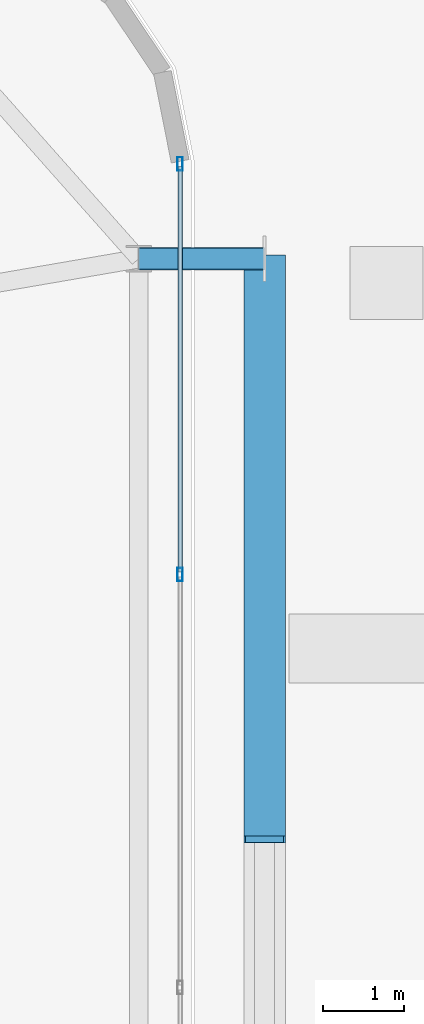
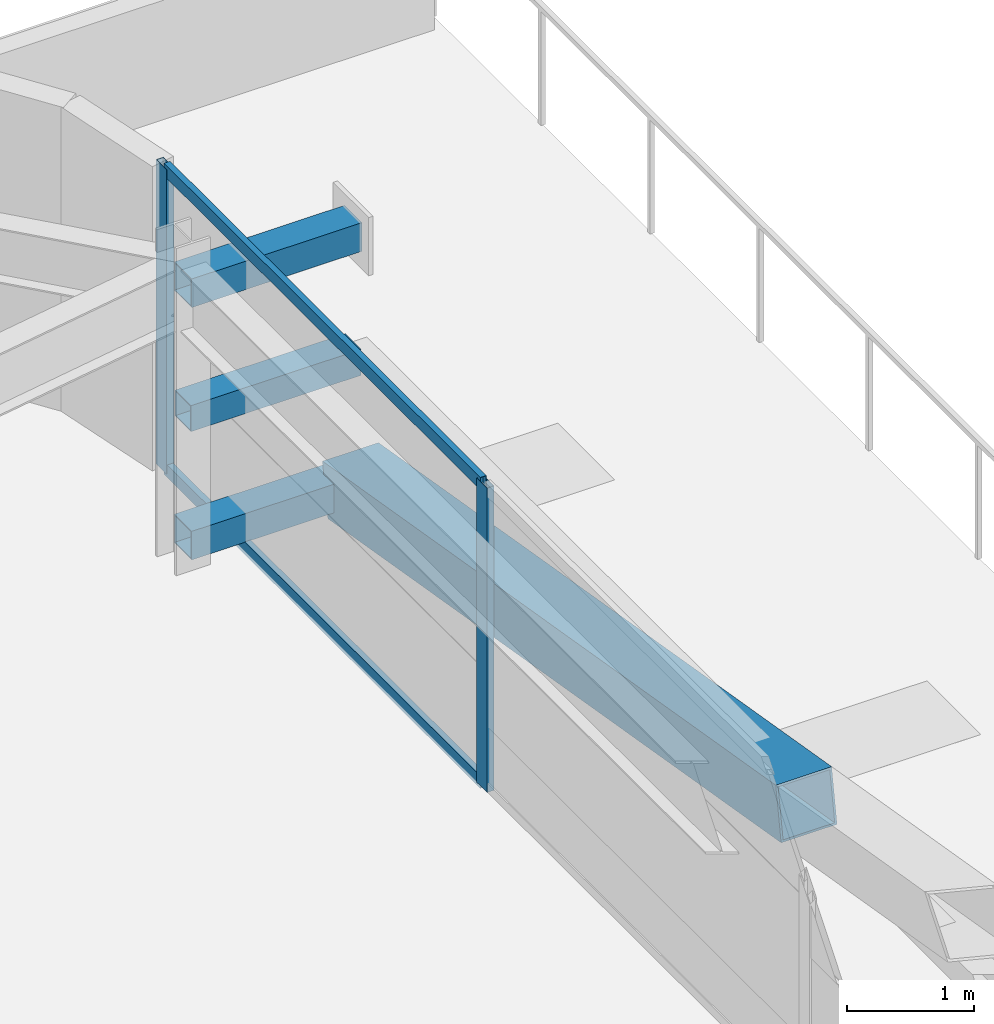
# One storey, part 38 of 56: 8 members, 1 element without a shape of its own.
"""IFC4 building model written with IfcOpenShell, lengths in metres."""

import ifcopenshell
import ifcopenshell.guid

model = None  # the IFC model being written
_history = None  # IfcOwnerHistory: only IFC2X3 demands one
_inside = {}  # id of a spatial element -> (the spatial element, [elements in it])
_under = {}  # id of a project, library or spatial element -> (it, [spatial elements below it])
_declared = {}  # id of a project -> (the project, [libraries it declares])
_typed = {}  # id of a type object -> (the type object, [elements of that type])
_made_of = {}  # id of a material, layer set ... -> (it, [elements and type objects made of it])


def new_model(schema):
    """Start an empty IFC model of exactly this schema.

    Asked for "IFC4X3", IfcOpenShell would pick the latest addendum, in which some entities
    have other attributes; the version numbers below select the first issue.
    IFC2X3 requires an IfcOwnerHistory on every rooted entity: one is made here for all.
    """
    global model, _history
    if schema == "IFC4X3":
        model = ifcopenshell.file(schema_version=(4, 3, 0, 0))
    else:
        model = ifcopenshell.file(schema=schema)
    _inside.clear()
    _under.clear()
    _declared.clear()
    _typed.clear()
    _made_of.clear()
    _history = None
    if model.schema == "IFC2X3":
        org = make("IfcOrganization", Name="unknown")
        user = make(
            "IfcPersonAndOrganization",
            ThePerson=make("IfcPerson", FamilyName="unknown"),
            TheOrganization=org,
        )
        app = make(
            "IfcApplication",
            ApplicationDeveloper=org,
            Version="unknown",
            ApplicationFullName="unknown",
            ApplicationIdentifier="unknown",
        )
        _history = make(
            "IfcOwnerHistory",
            OwningUser=user,
            OwningApplication=app,
            ChangeAction="ADDED",
            CreationDate=0,
        )
    return model


def make(cls, **values):
    """One entity of the class cls with the attributes given. An attribute that is None is left unset."""
    return model.create_entity(
        cls, **{name: value for name, value in values.items() if value is not None}
    )


def rooted(cls, **values):
    """An entity with a GlobalId (a new one), such as an element, a storey or a relation."""
    return make(cls, GlobalId=ifcopenshell.guid.new(), OwnerHistory=_history, **values)


def si_unit(unit_type, name, prefix=None):
    """IfcSIUnit, for example si_unit("LENGTHUNIT", "METRE", prefix="MILLI")."""
    return make("IfcSIUnit", UnitType=unit_type, Prefix=prefix, Name=name)


def assignment(units):
    """IfcUnitAssignment: the units of a project."""
    return None if units is None else make("IfcUnitAssignment", Units=units)


def point(xyz):
    """IfcCartesianPoint."""
    return None if xyz is None else make("IfcCartesianPoint", Coordinates=xyz)


def direction(xyz):
    """IfcDirection."""
    return None if xyz is None else make("IfcDirection", DirectionRatios=xyz)


def frame(location, z_axis=None, x_axis=None):
    """IfcAxis2Placement3D, a coordinate frame: its origin and axes. An axis left out is left unset."""
    return make(
        "IfcAxis2Placement3D",
        Location=point(location),
        Axis=direction(z_axis),
        RefDirection=direction(x_axis),
    )


def frame_2d(location, x_axis=None):
    """IfcAxis2Placement2D, a coordinate frame in the plane: its origin and x axis."""
    return make(
        "IfcAxis2Placement2D", Location=point(location), RefDirection=direction(x_axis)
    )


def origin():
    """The frame at (0, 0, 0) with its axes left unset."""
    return frame((0.0, 0.0, 0.0))


def origin_2d():
    """The frame at (0, 0) in the plane with its x axis left unset."""
    return frame_2d((0.0, 0.0))


def place(relative_to, where):
    """IfcLocalPlacement: puts the frame where relative to a parent placement (None: the world)."""
    return make(
        "IfcLocalPlacement", PlacementRelTo=relative_to, RelativePlacement=where
    )


def context(
    kind, dimensions, precision=None, world=None, true_north=None, identifier=None
):
    """IfcGeometricRepresentationContext, for example the 3D "Model" context."""
    return make(
        "IfcGeometricRepresentationContext",
        ContextIdentifier=identifier,
        ContextType=kind,
        CoordinateSpaceDimension=dimensions,
        Precision=precision,
        WorldCoordinateSystem=world,
        TrueNorth=true_north,
    )


def subcontext(parent, identifier, kind, view, scale=None):
    """IfcGeometricRepresentationSubContext, for example "Body" below "Model"."""
    return make(
        "IfcGeometricRepresentationSubContext",
        ContextIdentifier=identifier,
        ContextType=kind,
        ParentContext=parent,
        TargetScale=scale,
        TargetView=view,
    )


def project(units=None, contexts=None):
    """IfcProject with its units and contexts."""
    return rooted(
        "IfcProject",
        Name="project",
        RepresentationContexts=contexts,
        UnitsInContext=assignment(units),
    )


def spatial(cls, under=None, at=None, **own):
    """A site, building, storey or space (cls), placed at a placement, below another one or the project."""
    s = rooted(cls, ObjectPlacement=at, **own)
    if under is not None:
        _under.setdefault(under.id(), (under, []))[1].append(s)
    return s


def profile(cls, at=None, kind="AREA", **sizes):
    """A parametric profile (cls). Its sizes go by their IFC names, for example OverallWidth=200.0."""
    return make(cls, ProfileType=kind, Position=at, **sizes)


def hollow_rectangle(**sizes):
    """IfcRectangleHollowProfileDef."""
    return profile("IfcRectangleHollowProfileDef", **sizes)


def extrude(swept, where, along, depth):
    """IfcExtrudedAreaSolid: the profile swept, set in the frame where, extruded along a direction by depth."""
    return make(
        "IfcExtrudedAreaSolid",
        SweptArea=swept,
        Position=where,
        ExtrudedDirection=direction(along),
        Depth=depth,
    )


def shape(context_of_items, identifier, shape_type, items):
    """IfcShapeRepresentation: the items that make up one representation, for example the "Body"."""
    return make(
        "IfcShapeRepresentation",
        ContextOfItems=context_of_items,
        RepresentationIdentifier=identifier,
        RepresentationType=shape_type,
        Items=items,
    )


def source(mapping_origin, context_of_items, identifier, shape_type, items):
    """IfcRepresentationMap: a shape defined once, which mapped items show again and again."""
    return make(
        "IfcRepresentationMap",
        MappingOrigin=mapping_origin,
        MappedRepresentation=shape(context_of_items, identifier, shape_type, items),
    )


def transform(
    local_origin,
    x_axis=None,
    y_axis=None,
    z_axis=None,
    scale=None,
    scale2=None,
    scale3=None,
    uniform=True,
):
    """IfcCartesianTransformationOperator3D, or its non-uniform kind. x_axis, y_axis, z_axis: its Axis1, 2, 3."""
    if uniform:
        return make(
            "IfcCartesianTransformationOperator3D",
            Axis1=direction(x_axis),
            Axis2=direction(y_axis),
            LocalOrigin=point(local_origin),
            Scale=scale,
            Axis3=direction(z_axis),
        )
    return make(
        "IfcCartesianTransformationOperator3DnonUniform",
        Axis1=direction(x_axis),
        Axis2=direction(y_axis),
        LocalOrigin=point(local_origin),
        Scale=scale,
        Axis3=direction(z_axis),
        Scale2=scale2,
        Scale3=scale3,
    )


def mapped(mapping_source, mapping_target):
    """IfcMappedItem: shows the shape of a source again, moved by a transform."""
    return make(
        "IfcMappedItem", MappingSource=mapping_source, MappingTarget=mapping_target
    )


def material(Name=None, Category=None):
    """IfcMaterial."""
    return make("IfcMaterial", Name=Name, Category=Category)


def layer(
    of_material, thickness, ventilated=None, Name=None, Category=None, Priority=None
):
    """IfcMaterialLayer: one layer of a wall or slab, of a material (None: an air gap)."""
    return make(
        "IfcMaterialLayer",
        Material=of_material,
        LayerThickness=thickness,
        IsVentilated=ventilated,
        Name=Name,
        Category=Category,
        Priority=Priority,
    )


def layer_set(layers, Name=None):
    """IfcMaterialLayerSet."""
    return make("IfcMaterialLayerSet", MaterialLayers=layers, LayerSetName=Name)


def material_profile(
    of_material, cross_section, Name=None, Category=None, Priority=None
):
    """IfcMaterialProfile: a cross section and its material."""
    return make(
        "IfcMaterialProfile",
        Name=Name,
        Material=of_material,
        Profile=cross_section,
        Priority=Priority,
        Category=Category,
    )


def profile_set(profiles, Name=None, composite=None):
    """IfcMaterialProfileSet."""
    return make(
        "IfcMaterialProfileSet",
        Name=Name,
        MaterialProfiles=profiles,
        CompositeProfile=composite,
    )


def made_of(thing, what):
    """Note that an element or type object is made of a material, layer set ...; save() writes the relation."""
    if what is not None:
        _made_of.setdefault(what.id(), (what, []))[1].append(thing)
    return thing


def type_object(cls, material=None, **own):
    """A type object (cls), such as IfcWallType, which elements share."""
    return made_of(rooted(cls, **own), material)


def element(
    cls,
    number,
    at=None,
    inside=None,
    cuts=None,
    type_object=None,
    material=None,
    context=None,
    identifier="Body",
    shape_type=None,
    held_by="IfcProductDefinitionShape",
    body=None,
    shapes=None,
    **own,
):
    """One element of the class cls, such as IfcWall. Its Tag is "e" and its number.

    at: its placement. inside: the storey or other place that contains it. cuts: it is an
    opening in that element (IfcRelVoidsElement). A single representation is given by context,
    identifier, shape_type and body (its items); several are given by shapes. held_by: the class
    of the entity that holds the representations. save() writes the other relations.
    """
    e = rooted(cls, Tag="e%d" % number, ObjectPlacement=at, **own)
    if body is not None:
        shapes = [shape(context, identifier, shape_type, body)]
    if shapes is not None:
        e.Representation = make(held_by, Representations=shapes)
    if inside is not None:
        _inside.setdefault(inside.id(), (inside, []))[1].append(e)
    if cuts is not None:
        rooted(
            "IfcRelVoidsElement", RelatingBuildingElement=cuts, RelatedOpeningElement=e
        )
    if type_object is not None:
        _typed.setdefault(type_object.id(), (type_object, []))[1].append(e)
    return made_of(e, material)


def aggregate(whole, parts):
    """IfcRelAggregates: a whole, such as a stair, and the parts it consists of."""
    return rooted("IfcRelAggregates", RelatingObject=whole, RelatedObjects=parts)


def save(model, path):
    """Write the relations noted so far, then the file.

    IfcRelAggregates (storeys below a building ...), IfcRelContainedInSpatialStructure (elements
    in a storey), IfcRelDefinesByType, IfcRelAssociatesMaterial and IfcRelDeclares: one each for
    every whole, place, type object, material and project.
    """
    for whole, parts in _under.values():
        aggregate(whole, parts)
    for where, things in _inside.values():
        rooted(
            "IfcRelContainedInSpatialStructure",
            RelatedElements=things,
            RelatingStructure=where,
        )
    for kind, things in _typed.values():
        rooted("IfcRelDefinesByType", RelatedObjects=things, RelatingType=kind)
    for what, things in _made_of.values():
        rooted("IfcRelAssociatesMaterial", RelatedObjects=things, RelatingMaterial=what)
    for by, libraries in _declared.values():
        rooted("IfcRelDeclares", RelatingContext=by, RelatedDefinitions=libraries)
    model.write(path)


model = new_model("IFC4")

# Units and contexts
model_context = context("Model", 3, precision=1e-05, world=origin(), true_north=direction((0.0, 1.0)))
body_context = subcontext(model_context, "Body", "Model", "MODEL_VIEW")
ifc_project = project(units=[si_unit("LENGTHUNIT", "METRE"), si_unit("AREAUNIT", "SQUARE_METRE"), si_unit("VOLUMEUNIT", "CUBIC_METRE"), si_unit("PLANEANGLEUNIT", "RADIAN"), si_unit("MASSUNIT", "GRAM", prefix="KILO")], contexts=[model_context])

# Site, building, storey
site_placement = place(None, origin())
site = spatial("IfcSite", under=ifc_project, at=site_placement, CompositionType="ELEMENT")
building_placement = place(site_placement, origin())
building = spatial("IfcBuilding", under=site, at=building_placement, Name="Taldren Reach Tower", CompositionType="ELEMENT")
storey_placement = place(building_placement, frame((0.0, 0.0, 16.800048828125)))
storey = spatial("IfcBuildingStorey", under=building, at=storey_placement, Name="L04", CompositionType="ELEMENT", Elevation=16.800048828125)

# Members
ifc_material_1 = material(Name="Steel Gr 450 (C450L0)", Category="steel")
ifc_material_profile_1 = material_profile(ifc_material_1, hollow_rectangle(XDim=0.27490234375, YDim=0.27490234375, WallThickness=0.00927734375, at=origin_2d()), Name="275x275x9.3SHS")
ifc_profile_set_1 = profile_set([ifc_material_profile_1], Name="Steel Gr 450 (C450L0)")
member_type_1 = type_object("IfcMemberType", Name="MB-TIE273", PredefinedType="STRUT", material=ifc_profile_set_1)
shared_shape_1 = source(origin(), body_context, "Body", "SweptSolid", [
    extrude(hollow_rectangle(XDim=0.27490234375, YDim=0.27490234375, WallThickness=0.00927734375, at=origin_2d()), origin(), (0.0, 0.0, 1.0), 1.5498046875),
])
for number, where, z_axis, x_axis, name in (
    (1, (64.35009765625, 34.300048828125, 2.64990234375), (1.0, 0.0, 0.0), (0.0, 1.0, 0.0), "Exoskeleton diaphragm tie strut B1-E3 L04"),
    (2, (64.35009765625, 34.300048828125, 0.219970703125), (1.0, 0.0, 0.0), (0.0, 1.0, 0.0), "Exoskeleton base diaphragm tie strut B1-E3 L04"),
):
    element("IfcMember", number, at=place(storey_placement, frame(where, z_axis=z_axis, x_axis=x_axis)), inside=storey, type_object=member_type_1, Name=name, PredefinedType="STRUT", context=body_context, shape_type="MappedRepresentation", body=[
        mapped(shared_shape_1, transform((0.0, 0.0, 0.0), scale=1.0)),
    ])
ifc_material_2 = material(Name="Steel Gr 350 (C350L0)", Category="steel")
ifc_material_profile_2 = material_profile(ifc_material_2, hollow_rectangle(XDim=0.25, YDim=0.25, WallThickness=0.010009765625, at=origin_2d()), Name="250x250x10.0SHS")
ifc_profile_set_2 = profile_set([ifc_material_profile_2], Name="Steel Gr 350 (C350L0)")
member_type_2 = type_object("IfcMemberType", Name="MB-POST250", PredefinedType="POST", material=ifc_profile_set_2)
shared_shape_2 = source(origin(), body_context, "Body", "SweptSolid", [
    extrude(hollow_rectangle(XDim=0.25, YDim=0.25, WallThickness=0.010009765625, at=origin_2d()), origin(), (0.0, 0.0, 1.0), 1.5498046875),
])
member_1_placement = place(storey_placement, frame((64.35009765625, 34.300048828125, 1.43505859375), z_axis=(1.0, 0.0, 0.0), x_axis=(0.0, 1.0, 0.0)))
element("IfcMember", 3, at=member_1_placement, inside=storey, type_object=member_type_2, Name="Exoskeleton mid-tier diaphragm tie B1-E3 L04", PredefinedType="POST", context=body_context, shape_type="MappedRepresentation", body=[
    mapped(shared_shape_2, transform((0.0, 0.0, 0.0), scale=1.0)),
])
ifc_material_profile_3 = material_profile(ifc_material_1, hollow_rectangle(XDim=0.510009765625, YDim=0.510009765625, WallThickness=0.02001953125, at=origin_2d()), Name="510x510x20.0SHS")
ifc_profile_set_3 = profile_set([ifc_material_profile_3], Name="Steel Gr 450 (C450L0)")
member_type_3 = type_object("IfcMemberType", Name="MB-EXO508", PredefinedType="BRACE", material=ifc_profile_set_3)
shared_shape_3 = source(origin(), body_context, "Body", "SweptSolid", [
    extrude(hollow_rectangle(XDim=0.510009765625, YDim=0.510009765625, WallThickness=0.02001953125, at=origin_2d()), origin(), (0.0, 0.0, 1.0), 7.252685546875),
])
member_2_placement = place(storey_placement, frame((65.89990234375, 34.300048828125, 0.219970703125), z_axis=(0.0, -0.985865800628, 0.167536930711), x_axis=(1.0, 0.0, 0.0)))
element("IfcMember", 4, at=member_2_placement, inside=storey, type_object=member_type_3, Name="Exoskeleton Diagrid Brace B1-E2 L04", PredefinedType="BRACE", context=body_context, shape_type="MappedRepresentation", body=[
    mapped(shared_shape_3, transform((0.0, 0.0, 0.0), scale=1.0)),
])

# Curtain wall, members
ifc_material_3 = material(Name="Aluminium and Low-E Glass Unitised System", Category="aluminium")
ifc_layer = layer(ifc_material_3, 0.159912109375)
ifc_layer_set = layer_set([ifc_layer], Name="Aluminium and Low-E Glass Unitised System")
curtain_wall_type = type_object("IfcCurtainWallType", Name="CW-SYS-2", PredefinedType="NOTDEFINED", material=ifc_layer_set)
curtain_wall_placement = place(storey_placement, origin())
curtain_wall = element("IfcCurtainWall", 5, at=curtain_wall_placement, inside=storey, type_object=curtain_wall_type, Name="Unitised curtain wall CW-L04-E2", PredefinedType="NOTDEFINED")
ifc_material_4 = material(Name="Anodised Aluminium 6063-T6", Category="aluminium")
ifc_material_profile_4 = material_profile(ifc_material_4, hollow_rectangle(XDim=0.06494140625, YDim=0.1650390625, WallThickness=0.00390625, at=origin_2d()), Name="ALU-165x65x4RHS")
ifc_profile_set_4 = profile_set([ifc_material_profile_4], Name="Anodised Aluminium 6063-T6")
member_type_4 = type_object("IfcMemberType", Name="CW-MUL-165", PredefinedType="MULLION", material=ifc_profile_set_4)
shared_shape_4 = source(origin(), body_context, "Body", "SweptSolid", [
    extrude(hollow_rectangle(XDim=0.06494140625, YDim=0.1650390625, WallThickness=0.00390625, at=origin_2d()), origin(), (0.0, 0.0, 1.0), 2.929931640625),
])
member_3_placement = place(storey_placement, frame((64.860107421875, 30.41259765625, 0.0), z_axis=(0.0, 0.0, 1.0), x_axis=(-1.0, 0.0, 0.0)))
member_3 = element("IfcMember", 6, at=member_3_placement, type_object=member_type_4, Name="CW-2 mullion 4", PredefinedType="MULLION", context=body_context, shape_type="MappedRepresentation", body=[
    mapped(shared_shape_4, transform((0.0, 0.0, 0.0), scale=1.0)),
])
member_4_placement = place(storey_placement, frame((64.860107421875, 35.467529296875, 0.0), z_axis=(0.0, 0.0, 1.0), x_axis=(-1.0, 0.0, 0.0)))
member_4 = element("IfcMember", 7, at=member_4_placement, type_object=member_type_4, Name="CW-2 mullion 5", PredefinedType="MULLION", context=body_context, shape_type="MappedRepresentation", body=[
    mapped(shared_shape_4, transform((0.0, 0.0, 0.0), scale=1.0)),
])
ifc_material_profile_5 = material_profile(ifc_material_4, hollow_rectangle(XDim=0.054931640625, YDim=0.1201171875, WallThickness=0.0029296875, at=origin_2d()), Name="ALU-120x55x3RHS")
ifc_profile_set_5 = profile_set([ifc_material_profile_5], Name="Anodised Aluminium 6063-T6")
member_type_5 = type_object("IfcMemberType", Name="CW-TRN-135", PredefinedType="USERDEFINED", material=ifc_profile_set_5)
shared_shape_5 = source(origin(), body_context, "Body", "SweptSolid", [
    extrude(hollow_rectangle(XDim=0.054931640625, YDim=0.1201171875, WallThickness=0.0029296875, at=origin_2d()), origin(), (0.0, 0.0, 1.0), 4.989990234375),
])
member_5_placement = place(storey_placement, frame((64.860107421875, 30.445068359375, 0.02734375), z_axis=(0.0, 1.0, 0.0), x_axis=(-1.0, 0.0, 0.0)))
member_5 = element("IfcMember", 8, at=member_5_placement, type_object=member_type_5, Name="CW-2 transom 4.1", ObjectType="TRANSOM", PredefinedType="USERDEFINED", context=body_context, shape_type="MappedRepresentation", body=[
    mapped(shared_shape_5, transform((0.0, 0.0, 0.0), scale=1.0)),
])
member_6_placement = place(storey_placement, frame((64.860107421875, 30.445068359375, 2.90234375), z_axis=(0.0, 1.0, 0.0), x_axis=(-1.0, 0.0, 0.0)))
member_6 = element("IfcMember", 9, at=member_6_placement, type_object=member_type_5, Name="CW-2 transom 4.2", ObjectType="TRANSOM", PredefinedType="USERDEFINED", context=body_context, shape_type="MappedRepresentation", body=[
    mapped(shared_shape_5, transform((0.0, 0.0, 0.0), scale=1.0)),
])
aggregate(curtain_wall, [member_3, member_4, member_5, member_6])

save(model, "model.ifc")
